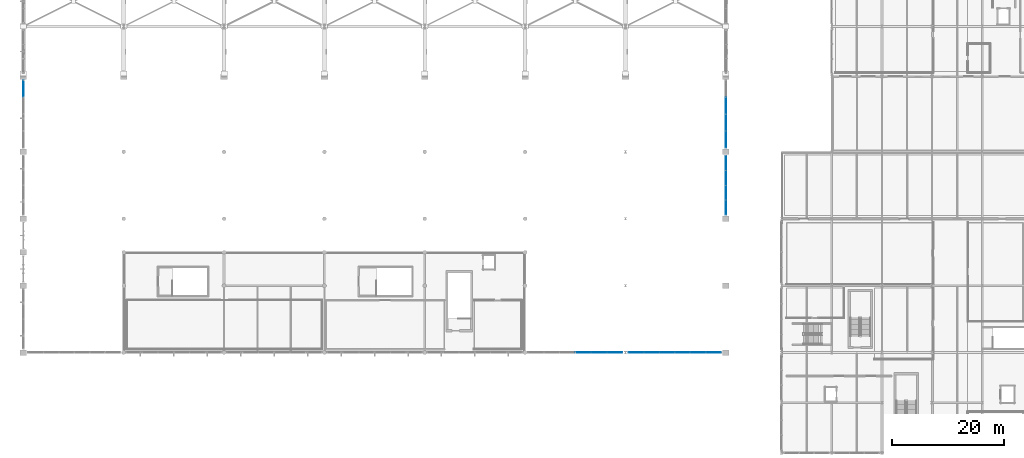
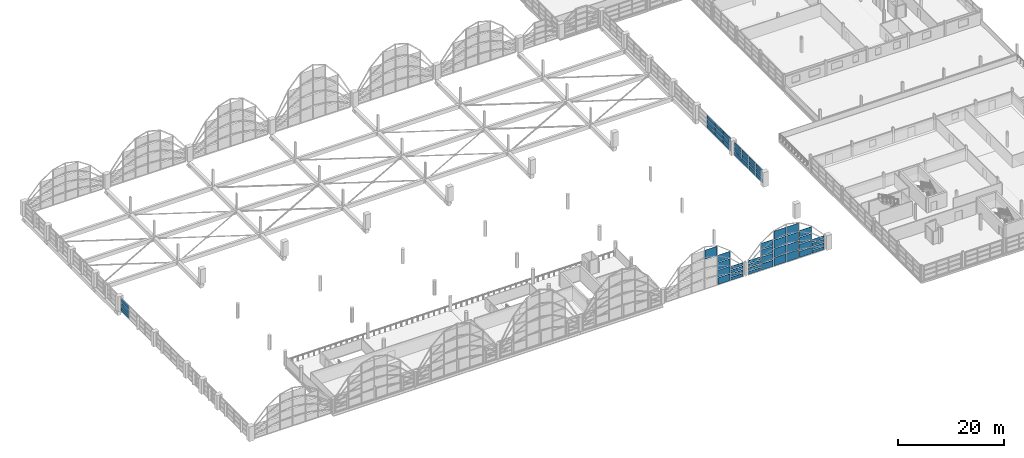
# One storey, part 86 of 116: 57 plates, 5 elements without a shape of their own.
"""IFC4 building model written with IfcOpenShell, lengths in metres."""

from ifc_helpers import new_model, si_unit, direction, frame, origin, origin_2d, place, context, subcontext, project, spatial, rectangle, extrude, material, layer, layer_set, type_object, element, aggregate, save


model = new_model("IFC4")

# Units and contexts
model_context = context("Model", 3, precision=1e-05, world=origin(), true_north=direction((0.0, 1.0)))
body_context = subcontext(model_context, "Body", "Model", "MODEL_VIEW")
ifc_project = project(units=[si_unit("LENGTHUNIT", "METRE"), si_unit("AREAUNIT", "SQUARE_METRE"), si_unit("VOLUMEUNIT", "CUBIC_METRE"), si_unit("PLANEANGLEUNIT", "RADIAN"), si_unit("MASSUNIT", "GRAM", prefix="KILO")], contexts=[model_context])

# Site, building, storey
site_placement = place(None, origin())
site = spatial("IfcSite", under=ifc_project, at=site_placement, CompositionType="ELEMENT")
building_placement = place(site_placement, origin())
building = spatial("IfcBuilding", under=site, at=building_placement, Name="Chuanluo Vaults Station", CompositionType="ELEMENT")
storey_placement = place(building_placement, frame((0.0, 0.0, 10.800048828125)))
storey = spatial("IfcBuildingStorey", under=building, at=storey_placement, Name="L02", CompositionType="ELEMENT", Elevation=10.800048828125)

# Curtain wall, plates
ifc_material_1 = material(Name="Anodised aluminium 6063-T6", Category="aluminium")
curtain_wall_type_1 = type_object("IfcCurtainWallType", Name="CW-SYS-23", PredefinedType="NOTDEFINED", material=ifc_material_1)
curtain_wall_1_placement = place(storey_placement, origin())
curtain_wall_1 = element("IfcCurtainWall", 1, at=curtain_wall_1_placement, inside=storey, type_object=curtain_wall_type_1, Name="Vault V7 south arched curtain wall", PredefinedType="NOTDEFINED")
ifc_material_2 = material(Name="Ceramic-fritted spandrel glass", Category="glass")
ifc_layer_1 = layer(ifc_material_2, 0.06396484375)
ifc_layer_set_1 = layer_set([ifc_layer_1], Name="Ceramic-fritted spandrel glass")
plate_type_1 = type_object("IfcPlateType", Name="CWP-SPN-42", PredefinedType="SHEET", material=ifc_layer_set_1)
plate_1_placement = place(storey_placement, frame((123.78759765625, 18.0, 0.080078125), z_axis=(0.0, 0.0, 1.0), x_axis=(-1.0, 0.0, 0.0)))
plate_1 = element("IfcPlate", 2, at=plate_1_placement, type_object=plate_type_1, Name="Vault V7 south arched curtain wall glazed panel 1.1", PredefinedType="SHEET", context=body_context, shape_type="SweptSolid", body=[
    extrude(rectangle(XDim=2.614990234375, YDim=0.06396484375, at=origin_2d()), origin(), (0.0, 0.0, 1.0), 0.677490234375),
])
plate_2_placement = place(storey_placement, frame((121.012451171875, 18.0, 0.080078125), z_axis=(0.0, 0.0, 1.0), x_axis=(-1.0, 0.0, 0.0)))
plate_2 = element("IfcPlate", 3, at=plate_2_placement, type_object=plate_type_1, Name="Vault V7 south arched curtain wall glazed panel 2.1", PredefinedType="SHEET", context=body_context, shape_type="SweptSolid", body=[
    extrude(rectangle(XDim=2.614990234375, YDim=0.06396484375, at=origin_2d()), origin(), (0.0, 0.0, 1.0), 1.4345703125),
])
plate_3_placement = place(storey_placement, frame((118.237548828125, 18.0, 0.079833984375), z_axis=(0.0, 0.0, 1.0), x_axis=(-1.0, 0.0, 0.0)))
plate_3 = element("IfcPlate", 4, at=plate_3_placement, type_object=plate_type_1, Name="Vault V7 south arched curtain wall glazed panel 3.1", PredefinedType="SHEET", context=body_context, shape_type="SweptSolid", body=[
    extrude(rectangle(XDim=2.614990234375, YDim=0.06396484375, at=origin_2d()), origin(), (0.0, 0.0, 1.0), 1.888671875),
])
plate_4_placement = place(storey_placement, frame((115.46240234375, 18.0, 0.079833984375), z_axis=(0.0, 0.0, 1.0), x_axis=(-1.0, 0.0, 0.0)))
plate_4 = element("IfcPlate", 5, at=plate_4_placement, type_object=plate_type_1, Name="Vault V7 south arched curtain wall glazed panel 4.1", PredefinedType="SHEET", context=body_context, shape_type="SweptSolid", body=[
    extrude(rectangle(XDim=2.614990234375, YDim=0.06396484375, at=origin_2d()), origin(), (0.0, 0.0, 1.0), 1.888671875),
])
plate_5_placement = place(storey_placement, frame((112.6875, 18.0, 0.080078125), z_axis=(0.0, 0.0, 1.0), x_axis=(-1.0, 0.0, 0.0)))
plate_5 = element("IfcPlate", 6, at=plate_5_placement, type_object=plate_type_1, Name="Vault V7 south arched curtain wall glazed panel 5.1", PredefinedType="SHEET", context=body_context, shape_type="SweptSolid", body=[
    extrude(rectangle(XDim=2.614990234375, YDim=0.06396484375, at=origin_2d()), origin(), (0.0, 0.0, 1.0), 1.4345703125),
])
plate_6_placement = place(storey_placement, frame((109.91259765625, 18.0, 0.080078125), z_axis=(0.0, 0.0, 1.0), x_axis=(-1.0, 0.0, 0.0)))
plate_6 = element("IfcPlate", 7, at=plate_6_placement, type_object=plate_type_1, Name="Vault V7 south arched curtain wall glazed panel 6.1", PredefinedType="SHEET", context=body_context, shape_type="SweptSolid", body=[
    extrude(rectangle(XDim=2.614990234375, YDim=0.06396484375, at=origin_2d()), origin(), (0.0, 0.0, 1.0), 0.677490234375),
])

# Curtain wall, plate
ifc_material_3 = material(Name="Anodised aluminium 6063-T6", Category="aluminium")
curtain_wall_type_2 = type_object("IfcCurtainWallType", Name="CW-SYS-11", PredefinedType="NOTDEFINED", material=ifc_material_3)
curtain_wall_2_placement = place(storey_placement, origin())
curtain_wall_2 = element("IfcCurtainWall", 8, at=curtain_wall_2_placement, inside=storey, type_object=curtain_wall_type_2, Name="Train shed west clerestory CW 54", PredefinedType="NOTDEFINED")
plate_7_placement = place(storey_placement, frame((0.0, 65.306396484375, 0.080078125), z_axis=(0.0, 0.0, 1.0), x_axis=(0.0, 1.0, 0.0)))
plate_7 = element("IfcPlate", 9, at=plate_7_placement, type_object=plate_type_1, Name="Train shed west clerestory CW 54 glazed panel 4.1", PredefinedType="SHEET", context=body_context, shape_type="SweptSolid", body=[
    extrude(rectangle(XDim=2.87744140625, YDim=0.06396484375, at=origin_2d()), origin(), (0.0, 0.0, 1.0), 0.889892578125),
])

# Curtain wall, plates
ifc_material_4 = material(Name="Anodised aluminium 6063-T6", Category="aluminium")
curtain_wall_type_3 = type_object("IfcCurtainWallType", Name="CW-SYS-20", PredefinedType="NOTDEFINED", material=ifc_material_4)
curtain_wall_3_placement = place(storey_placement, origin())
curtain_wall_3 = element("IfcCurtainWall", 10, at=curtain_wall_3_placement, inside=storey, type_object=curtain_wall_type_3, Name="Vault V6 south arched curtain wall", PredefinedType="NOTDEFINED")
ifc_material_5 = material(Name="Ceramic-fritted spandrel glass", Category="glass")
ifc_layer_2 = layer(ifc_material_5, 0.070068359375)
ifc_layer_set_2 = layer_set([ifc_layer_2], Name="Ceramic-fritted spandrel glass")
plate_type_2 = type_object("IfcPlateType", Name="CWP-SPN-50", PredefinedType="SHEET", material=ifc_layer_set_2)
plate_8_placement = place(storey_placement, frame((106.0625, 18.0, 0.080078125), z_axis=(0.0, 0.0, 1.0), x_axis=(-1.0, 0.0, 0.0)))
plate_8 = element("IfcPlate", 11, at=plate_8_placement, type_object=plate_type_2, Name="Vault V6 south arched curtain wall glazed panel 1.1", PredefinedType="SHEET", context=body_context, shape_type="SweptSolid", body=[
    extrude(rectangle(XDim=2.6650390625, YDim=0.070068359375, at=origin_2d()), origin(), (0.0, 0.0, 1.0), 0.677490234375),
])
plate_9_placement = place(storey_placement, frame((103.237548828125, 18.0, 0.080078125), z_axis=(0.0, 0.0, 1.0), x_axis=(-1.0, 0.0, 0.0)))
plate_9 = element("IfcPlate", 12, at=plate_9_placement, type_object=plate_type_2, Name="Vault V6 south arched curtain wall glazed panel 2.1", PredefinedType="SHEET", context=body_context, shape_type="SweptSolid", body=[
    extrude(rectangle(XDim=2.6650390625, YDim=0.070068359375, at=origin_2d()), origin(), (0.0, 0.0, 1.0), 1.5732421875),
])

ifc_material_6 = material(Name="Anodised aluminium 6063-T6", Category="aluminium")
curtain_wall_type_4 = type_object("IfcCurtainWallType", Name="CW-SYS-08", PredefinedType="NOTDEFINED", material=ifc_material_6)
curtain_wall_4_placement = place(storey_placement, origin())
curtain_wall_4 = element("IfcCurtainWall", 13, at=curtain_wall_4_placement, inside=storey, type_object=curtain_wall_type_4, Name="Train shed east clerestory CW 42", PredefinedType="NOTDEFINED")
plate_10_placement = place(storey_placement, frame((126.0, 51.993896484375, 0.080078125), z_axis=(0.0, 0.0, 1.0), x_axis=(0.0, -1.0, 0.0)))
plate_10 = element("IfcPlate", 14, at=plate_10_placement, type_object=plate_type_2, Name="Train shed east clerestory CW 42 glazed panel 1.1", PredefinedType="SHEET", context=body_context, shape_type="SweptSolid", body=[
    extrude(rectangle(XDim=2.50244140625, YDim=0.070068359375, at=origin_2d()), origin(), (0.0, 0.0, 1.0), 0.889892578125),
])
plate_11_placement = place(storey_placement, frame((126.0, 49.331298828125, 0.080078125), z_axis=(0.0, 0.0, 1.0), x_axis=(0.0, -1.0, 0.0)))
plate_11 = element("IfcPlate", 15, at=plate_11_placement, type_object=plate_type_2, Name="Train shed east clerestory CW 42 glazed panel 2.1", PredefinedType="SHEET", context=body_context, shape_type="SweptSolid", body=[
    extrude(rectangle(XDim=2.50244140625, YDim=0.070068359375, at=origin_2d()), origin(), (0.0, 0.0, 1.0), 0.889892578125),
])
plate_12_placement = place(storey_placement, frame((126.0, 46.668701171875, 0.080078125), z_axis=(0.0, 0.0, 1.0), x_axis=(0.0, -1.0, 0.0)))
plate_12 = element("IfcPlate", 16, at=plate_12_placement, type_object=plate_type_2, Name="Train shed east clerestory CW 42 glazed panel 3.1", PredefinedType="SHEET", context=body_context, shape_type="SweptSolid", body=[
    extrude(rectangle(XDim=2.50244140625, YDim=0.070068359375, at=origin_2d()), origin(), (0.0, 0.0, 1.0), 0.889892578125),
])
plate_13_placement = place(storey_placement, frame((126.0, 44.006103515625, 0.080078125), z_axis=(0.0, 0.0, 1.0), x_axis=(0.0, -1.0, 0.0)))
plate_13 = element("IfcPlate", 17, at=plate_13_placement, type_object=plate_type_2, Name="Train shed east clerestory CW 42 glazed panel 4.1", PredefinedType="SHEET", context=body_context, shape_type="SweptSolid", body=[
    extrude(rectangle(XDim=2.50244140625, YDim=0.070068359375, at=origin_2d()), origin(), (0.0, 0.0, 1.0), 0.889892578125),
])

ifc_material_7 = material(Name="Anodised aluminium 6063-T6", Category="aluminium")
curtain_wall_type_5 = type_object("IfcCurtainWallType", Name="CW-SYS-12", PredefinedType="NOTDEFINED", material=ifc_material_7)
curtain_wall_5_placement = place(storey_placement, origin())
curtain_wall_5 = element("IfcCurtainWall", 18, at=curtain_wall_5_placement, inside=storey, type_object=curtain_wall_type_5, Name="Train shed east clerestory CW 54", PredefinedType="NOTDEFINED")
plate_14_placement = place(storey_placement, frame((126.0, 62.268798828125, 0.080078125), z_axis=(0.0, 0.0, 1.0), x_axis=(0.0, -1.0, 0.0)))
plate_14 = element("IfcPlate", 19, at=plate_14_placement, type_object=plate_type_2, Name="Train shed east clerestory CW 54 glazed panel 2.1", PredefinedType="SHEET", context=body_context, shape_type="SweptSolid", body=[
    extrude(rectangle(XDim=2.87744140625, YDim=0.070068359375, at=origin_2d()), origin(), (0.0, 0.0, 1.0), 0.889892578125),
])
plate_15_placement = place(storey_placement, frame((126.0, 59.231201171875, 0.080078125), z_axis=(0.0, 0.0, 1.0), x_axis=(0.0, -1.0, 0.0)))
plate_15 = element("IfcPlate", 20, at=plate_15_placement, type_object=plate_type_2, Name="Train shed east clerestory CW 54 glazed panel 3.1", PredefinedType="SHEET", context=body_context, shape_type="SweptSolid", body=[
    extrude(rectangle(XDim=2.87744140625, YDim=0.070068359375, at=origin_2d()), origin(), (0.0, 0.0, 1.0), 0.889892578125),
])
plate_16_placement = place(storey_placement, frame((126.0, 56.193603515625, 0.080078125), z_axis=(0.0, 0.0, 1.0), x_axis=(0.0, -1.0, 0.0)))
plate_16 = element("IfcPlate", 21, at=plate_16_placement, type_object=plate_type_2, Name="Train shed east clerestory CW 54 glazed panel 4.1", PredefinedType="SHEET", context=body_context, shape_type="SweptSolid", body=[
    extrude(rectangle(XDim=2.87744140625, YDim=0.070068359375, at=origin_2d()), origin(), (0.0, 0.0, 1.0), 0.889892578125),
])

# Plate
ifc_material_8 = material(Name="Double-silver Low-E laminated glass", Category="glass")
ifc_layer_3 = layer(ifc_material_8, 0.0439453125)
ifc_layer_set_3 = layer_set([ifc_layer_3], Name="Double-silver Low-E laminated glass")
plate_type_3 = type_object("IfcPlateType", Name="CWP-VIS-28", PredefinedType="CURTAIN_PANEL", material=ifc_layer_set_3)
plate_17_placement = place(storey_placement, frame((106.0625, 18.0, 0.91748046875), z_axis=(0.0, 0.0, 1.0), x_axis=(-1.0, 0.0, 0.0)))
plate_17 = element("IfcPlate", 22, at=plate_17_placement, type_object=plate_type_3, Name="Vault V6 south arched curtain wall glazed panel 1.2", PredefinedType="CURTAIN_PANEL", context=body_context, shape_type="SweptSolid", body=[
    extrude(rectangle(XDim=2.6650390625, YDim=0.0439453125, at=origin_2d()), origin(), (0.0, 0.0, 1.0), 0.677490234375),
])

plate_18_placement = place(storey_placement, frame((106.0625, 18.0, 1.7548828125), z_axis=(0.0, 0.0, 1.0), x_axis=(-1.0, 0.0, 0.0)))
plate_18 = element("IfcPlate", 23, at=plate_18_placement, type_object=plate_type_3, Name="Vault V6 south arched curtain wall glazed panel 1.3", PredefinedType="CURTAIN_PANEL", context=body_context, shape_type="SweptSolid", body=[
    extrude(rectangle(XDim=2.6650390625, YDim=0.0439453125, at=origin_2d()), origin(), (0.0, 0.0, 1.0), 0.677490234375),
])

plate_19_placement = place(storey_placement, frame((106.0625, 18.0, 2.59228515625), z_axis=(0.0, 0.0, 1.0), x_axis=(-1.0, 0.0, 0.0)))
plate_19 = element("IfcPlate", 24, at=plate_19_placement, type_object=plate_type_3, Name="Vault V6 south arched curtain wall glazed panel 1.4", PredefinedType="CURTAIN_PANEL", context=body_context, shape_type="SweptSolid", body=[
    extrude(rectangle(XDim=2.6650390625, YDim=0.0439453125, at=origin_2d()), origin(), (0.0, 0.0, 1.0), 0.677490234375),
])

plate_20_placement = place(storey_placement, frame((103.237548828125, 18.0, 1.81298828125), z_axis=(0.0, 0.0, 1.0), x_axis=(-1.0, 0.0, 0.0)))
plate_20 = element("IfcPlate", 25, at=plate_20_placement, type_object=plate_type_3, Name="Vault V6 south arched curtain wall glazed panel 2.2", PredefinedType="CURTAIN_PANEL", context=body_context, shape_type="SweptSolid", body=[
    extrude(rectangle(XDim=2.6650390625, YDim=0.0439453125, at=origin_2d()), origin(), (0.0, 0.0, 1.0), 1.573486328125),
])

plate_21_placement = place(storey_placement, frame((103.237548828125, 18.0, 3.546630859375), z_axis=(0.0, 0.0, 1.0), x_axis=(-1.0, 0.0, 0.0)))
plate_21 = element("IfcPlate", 26, at=plate_21_placement, type_object=plate_type_3, Name="Vault V6 south arched curtain wall glazed panel 2.3", PredefinedType="CURTAIN_PANEL", context=body_context, shape_type="SweptSolid", body=[
    extrude(rectangle(XDim=2.6650390625, YDim=0.0439453125, at=origin_2d()), origin(), (0.0, 0.0, 1.0), 1.5732421875),
])

plate_22_placement = place(storey_placement, frame((103.237548828125, 18.0, 5.280029296875), z_axis=(0.0, 0.0, 1.0), x_axis=(-1.0, 0.0, 0.0)))
plate_22 = element("IfcPlate", 27, at=plate_22_placement, type_object=plate_type_3, Name="Vault V6 south arched curtain wall glazed panel 2.4", PredefinedType="CURTAIN_PANEL", context=body_context, shape_type="SweptSolid", body=[
    extrude(rectangle(XDim=2.6650390625, YDim=0.0439453125, at=origin_2d()), origin(), (0.0, 0.0, 1.0), 1.5732421875),
])

plate_23_placement = place(storey_placement, frame((100.41259765625, 18.0, 6.892333984375), z_axis=(0.0, 0.0, 1.0), x_axis=(-1.0, 0.0, 0.0)))
plate_23 = element("IfcPlate", 28, at=plate_23_placement, type_object=plate_type_3, Name="Vault V6 south arched curtain wall glazed panel 3.4", PredefinedType="CURTAIN_PANEL", context=body_context, shape_type="SweptSolid", body=[
    extrude(rectangle(XDim=2.6650390625, YDim=0.0439453125, at=origin_2d()), origin(), (0.0, 0.0, 1.0), 2.11083984375),
])

aggregate(curtain_wall_3, [plate_8, plate_17, plate_18, plate_19, plate_9, plate_20, plate_21, plate_22, plate_23])

plate_24_placement = place(storey_placement, frame((126.0, 51.993896484375, 1.1298828125), z_axis=(0.0, 0.0, 1.0), x_axis=(0.0, -1.0, 0.0)))
plate_24 = element("IfcPlate", 29, at=plate_24_placement, type_object=plate_type_3, Name="Train shed east clerestory CW 42 glazed panel 1.2", PredefinedType="CURTAIN_PANEL", context=body_context, shape_type="SweptSolid", body=[
    extrude(rectangle(XDim=2.50244140625, YDim=0.0439453125, at=origin_2d()), origin(), (0.0, 0.0, 1.0), 0.889892578125),
])

plate_25_placement = place(storey_placement, frame((126.0, 51.993896484375, 2.18017578125), z_axis=(0.0, 0.0, 1.0), x_axis=(0.0, -1.0, 0.0)))
plate_25 = element("IfcPlate", 30, at=plate_25_placement, type_object=plate_type_3, Name="Train shed east clerestory CW 42 glazed panel 1.3", PredefinedType="CURTAIN_PANEL", context=body_context, shape_type="SweptSolid", body=[
    extrude(rectangle(XDim=2.50244140625, YDim=0.0439453125, at=origin_2d()), origin(), (0.0, 0.0, 1.0), 0.889892578125),
])

plate_26_placement = place(storey_placement, frame((126.0, 49.331298828125, 1.1298828125), z_axis=(0.0, 0.0, 1.0), x_axis=(0.0, -1.0, 0.0)))
plate_26 = element("IfcPlate", 31, at=plate_26_placement, type_object=plate_type_3, Name="Train shed east clerestory CW 42 glazed panel 2.2", PredefinedType="CURTAIN_PANEL", context=body_context, shape_type="SweptSolid", body=[
    extrude(rectangle(XDim=2.50244140625, YDim=0.0439453125, at=origin_2d()), origin(), (0.0, 0.0, 1.0), 0.889892578125),
])

plate_27_placement = place(storey_placement, frame((126.0, 49.331298828125, 2.18017578125), z_axis=(0.0, 0.0, 1.0), x_axis=(0.0, -1.0, 0.0)))
plate_27 = element("IfcPlate", 32, at=plate_27_placement, type_object=plate_type_3, Name="Train shed east clerestory CW 42 glazed panel 2.3", PredefinedType="CURTAIN_PANEL", context=body_context, shape_type="SweptSolid", body=[
    extrude(rectangle(XDim=2.50244140625, YDim=0.0439453125, at=origin_2d()), origin(), (0.0, 0.0, 1.0), 0.889892578125),
])

plate_28_placement = place(storey_placement, frame((126.0, 46.668701171875, 1.1298828125), z_axis=(0.0, 0.0, 1.0), x_axis=(0.0, -1.0, 0.0)))
plate_28 = element("IfcPlate", 33, at=plate_28_placement, type_object=plate_type_3, Name="Train shed east clerestory CW 42 glazed panel 3.2", PredefinedType="CURTAIN_PANEL", context=body_context, shape_type="SweptSolid", body=[
    extrude(rectangle(XDim=2.50244140625, YDim=0.0439453125, at=origin_2d()), origin(), (0.0, 0.0, 1.0), 0.889892578125),
])

plate_29_placement = place(storey_placement, frame((126.0, 46.668701171875, 2.18017578125), z_axis=(0.0, 0.0, 1.0), x_axis=(0.0, -1.0, 0.0)))
plate_29 = element("IfcPlate", 34, at=plate_29_placement, type_object=plate_type_3, Name="Train shed east clerestory CW 42 glazed panel 3.3", PredefinedType="CURTAIN_PANEL", context=body_context, shape_type="SweptSolid", body=[
    extrude(rectangle(XDim=2.50244140625, YDim=0.0439453125, at=origin_2d()), origin(), (0.0, 0.0, 1.0), 0.889892578125),
])

plate_30_placement = place(storey_placement, frame((126.0, 44.006103515625, 1.1298828125), z_axis=(0.0, 0.0, 1.0), x_axis=(0.0, -1.0, 0.0)))
plate_30 = element("IfcPlate", 35, at=plate_30_placement, type_object=plate_type_3, Name="Train shed east clerestory CW 42 glazed panel 4.2", PredefinedType="CURTAIN_PANEL", context=body_context, shape_type="SweptSolid", body=[
    extrude(rectangle(XDim=2.50244140625, YDim=0.0439453125, at=origin_2d()), origin(), (0.0, 0.0, 1.0), 0.889892578125),
])

plate_31_placement = place(storey_placement, frame((126.0, 44.006103515625, 2.18017578125), z_axis=(0.0, 0.0, 1.0), x_axis=(0.0, -1.0, 0.0)))
plate_31 = element("IfcPlate", 36, at=plate_31_placement, type_object=plate_type_3, Name="Train shed east clerestory CW 42 glazed panel 4.3", PredefinedType="CURTAIN_PANEL", context=body_context, shape_type="SweptSolid", body=[
    extrude(rectangle(XDim=2.50244140625, YDim=0.0439453125, at=origin_2d()), origin(), (0.0, 0.0, 1.0), 0.889892578125),
])

aggregate(curtain_wall_4, [plate_10, plate_24, plate_25, plate_11, plate_26, plate_27, plate_12, plate_28, plate_29, plate_13, plate_30, plate_31])

plate_32_placement = place(storey_placement, frame((126.0, 62.268798828125, 1.1298828125), z_axis=(0.0, 0.0, 1.0), x_axis=(0.0, -1.0, 0.0)))
plate_32 = element("IfcPlate", 37, at=plate_32_placement, type_object=plate_type_3, Name="Train shed east clerestory CW 54 glazed panel 2.2", PredefinedType="CURTAIN_PANEL", context=body_context, shape_type="SweptSolid", body=[
    extrude(rectangle(XDim=2.87744140625, YDim=0.0439453125, at=origin_2d()), origin(), (0.0, 0.0, 1.0), 0.889892578125),
])

plate_33_placement = place(storey_placement, frame((126.0, 62.268798828125, 2.18017578125), z_axis=(0.0, 0.0, 1.0), x_axis=(0.0, -1.0, 0.0)))
plate_33 = element("IfcPlate", 38, at=plate_33_placement, type_object=plate_type_3, Name="Train shed east clerestory CW 54 glazed panel 2.3", PredefinedType="CURTAIN_PANEL", context=body_context, shape_type="SweptSolid", body=[
    extrude(rectangle(XDim=2.87744140625, YDim=0.0439453125, at=origin_2d()), origin(), (0.0, 0.0, 1.0), 0.889892578125),
])

plate_34_placement = place(storey_placement, frame((126.0, 59.231201171875, 1.1298828125), z_axis=(0.0, 0.0, 1.0), x_axis=(0.0, -1.0, 0.0)))
plate_34 = element("IfcPlate", 39, at=plate_34_placement, type_object=plate_type_3, Name="Train shed east clerestory CW 54 glazed panel 3.2", PredefinedType="CURTAIN_PANEL", context=body_context, shape_type="SweptSolid", body=[
    extrude(rectangle(XDim=2.87744140625, YDim=0.0439453125, at=origin_2d()), origin(), (0.0, 0.0, 1.0), 0.889892578125),
])

plate_35_placement = place(storey_placement, frame((126.0, 59.231201171875, 2.18017578125), z_axis=(0.0, 0.0, 1.0), x_axis=(0.0, -1.0, 0.0)))
plate_35 = element("IfcPlate", 40, at=plate_35_placement, type_object=plate_type_3, Name="Train shed east clerestory CW 54 glazed panel 3.3", PredefinedType="CURTAIN_PANEL", context=body_context, shape_type="SweptSolid", body=[
    extrude(rectangle(XDim=2.87744140625, YDim=0.0439453125, at=origin_2d()), origin(), (0.0, 0.0, 1.0), 0.889892578125),
])

plate_36_placement = place(storey_placement, frame((126.0, 56.193603515625, 1.1298828125), z_axis=(0.0, 0.0, 1.0), x_axis=(0.0, -1.0, 0.0)))
plate_36 = element("IfcPlate", 41, at=plate_36_placement, type_object=plate_type_3, Name="Train shed east clerestory CW 54 glazed panel 4.2", PredefinedType="CURTAIN_PANEL", context=body_context, shape_type="SweptSolid", body=[
    extrude(rectangle(XDim=2.87744140625, YDim=0.0439453125, at=origin_2d()), origin(), (0.0, 0.0, 1.0), 0.889892578125),
])

plate_37_placement = place(storey_placement, frame((126.0, 56.193603515625, 2.18017578125), z_axis=(0.0, 0.0, 1.0), x_axis=(0.0, -1.0, 0.0)))
plate_37 = element("IfcPlate", 42, at=plate_37_placement, type_object=plate_type_3, Name="Train shed east clerestory CW 54 glazed panel 4.3", PredefinedType="CURTAIN_PANEL", context=body_context, shape_type="SweptSolid", body=[
    extrude(rectangle(XDim=2.87744140625, YDim=0.0439453125, at=origin_2d()), origin(), (0.0, 0.0, 1.0), 0.889892578125),
])

aggregate(curtain_wall_5, [plate_14, plate_32, plate_33, plate_15, plate_34, plate_35, plate_16, plate_36, plate_37])

ifc_material_9 = material(Name="Double-silver Low-E laminated glass", Category="glass")
ifc_layer_4 = layer(ifc_material_9, 0.048095703125)
ifc_layer_set_4 = layer_set([ifc_layer_4], Name="Double-silver Low-E laminated glass")
plate_type_4 = type_object("IfcPlateType", Name="CWP-VIS-32", PredefinedType="CURTAIN_PANEL", material=ifc_layer_set_4)
plate_38_placement = place(storey_placement, frame((123.78759765625, 18.0, 0.91748046875), z_axis=(0.0, 0.0, 1.0), x_axis=(-1.0, 0.0, 0.0)))
plate_38 = element("IfcPlate", 43, at=plate_38_placement, type_object=plate_type_4, Name="Vault V7 south arched curtain wall glazed panel 1.2", PredefinedType="CURTAIN_PANEL", context=body_context, shape_type="SweptSolid", body=[
    extrude(rectangle(XDim=2.614990234375, YDim=0.048095703125, at=origin_2d()), origin(), (0.0, 0.0, 1.0), 0.677490234375),
])

plate_39_placement = place(storey_placement, frame((123.78759765625, 18.0, 1.7548828125), z_axis=(0.0, 0.0, 1.0), x_axis=(-1.0, 0.0, 0.0)))
plate_39 = element("IfcPlate", 44, at=plate_39_placement, type_object=plate_type_4, Name="Vault V7 south arched curtain wall glazed panel 1.3", PredefinedType="CURTAIN_PANEL", context=body_context, shape_type="SweptSolid", body=[
    extrude(rectangle(XDim=2.614990234375, YDim=0.048095703125, at=origin_2d()), origin(), (0.0, 0.0, 1.0), 0.677490234375),
])

plate_40_placement = place(storey_placement, frame((123.78759765625, 18.0, 2.59228515625), z_axis=(0.0, 0.0, 1.0), x_axis=(-1.0, 0.0, 0.0)))
plate_40 = element("IfcPlate", 45, at=plate_40_placement, type_object=plate_type_4, Name="Vault V7 south arched curtain wall glazed panel 1.4", PredefinedType="CURTAIN_PANEL", context=body_context, shape_type="SweptSolid", body=[
    extrude(rectangle(XDim=2.614990234375, YDim=0.048095703125, at=origin_2d()), origin(), (0.0, 0.0, 1.0), 0.677490234375),
])

plate_41_placement = place(storey_placement, frame((121.012451171875, 18.0, 1.67431640625), z_axis=(0.0, 0.0, 1.0), x_axis=(-1.0, 0.0, 0.0)))
plate_41 = element("IfcPlate", 46, at=plate_41_placement, type_object=plate_type_4, Name="Vault V7 south arched curtain wall glazed panel 2.2", PredefinedType="CURTAIN_PANEL", context=body_context, shape_type="SweptSolid", body=[
    extrude(rectangle(XDim=2.614990234375, YDim=0.048095703125, at=origin_2d()), origin(), (0.0, 0.0, 1.0), 1.434326171875),
])

plate_42_placement = place(storey_placement, frame((121.012451171875, 18.0, 3.268798828125), z_axis=(0.0, 0.0, 1.0), x_axis=(-1.0, 0.0, 0.0)))
plate_42 = element("IfcPlate", 47, at=plate_42_placement, type_object=plate_type_4, Name="Vault V7 south arched curtain wall glazed panel 2.3", PredefinedType="CURTAIN_PANEL", context=body_context, shape_type="SweptSolid", body=[
    extrude(rectangle(XDim=2.614990234375, YDim=0.048095703125, at=origin_2d()), origin(), (0.0, 0.0, 1.0), 1.4345703125),
])

plate_43_placement = place(storey_placement, frame((121.012451171875, 18.0, 4.86328125), z_axis=(0.0, 0.0, 1.0), x_axis=(-1.0, 0.0, 0.0)))
plate_43 = element("IfcPlate", 48, at=plate_43_placement, type_object=plate_type_4, Name="Vault V7 south arched curtain wall glazed panel 2.4", PredefinedType="CURTAIN_PANEL", context=body_context, shape_type="SweptSolid", body=[
    extrude(rectangle(XDim=2.614990234375, YDim=0.048095703125, at=origin_2d()), origin(), (0.0, 0.0, 1.0), 1.434326171875),
])

plate_44_placement = place(storey_placement, frame((118.237548828125, 18.0, 2.12841796875), z_axis=(0.0, 0.0, 1.0), x_axis=(-1.0, 0.0, 0.0)))
plate_44 = element("IfcPlate", 49, at=plate_44_placement, type_object=plate_type_4, Name="Vault V7 south arched curtain wall glazed panel 3.2", PredefinedType="CURTAIN_PANEL", context=body_context, shape_type="SweptSolid", body=[
    extrude(rectangle(XDim=2.614990234375, YDim=0.048095703125, at=origin_2d()), origin(), (0.0, 0.0, 1.0), 1.888671875),
])

plate_45_placement = place(storey_placement, frame((118.237548828125, 18.0, 4.177001953125), z_axis=(0.0, 0.0, 1.0), x_axis=(-1.0, 0.0, 0.0)))
plate_45 = element("IfcPlate", 50, at=plate_45_placement, type_object=plate_type_4, Name="Vault V7 south arched curtain wall glazed panel 3.3", PredefinedType="CURTAIN_PANEL", context=body_context, shape_type="SweptSolid", body=[
    extrude(rectangle(XDim=2.614990234375, YDim=0.048095703125, at=origin_2d()), origin(), (0.0, 0.0, 1.0), 1.888671875),
])

plate_46_placement = place(storey_placement, frame((118.237548828125, 18.0, 6.225830078125), z_axis=(0.0, 0.0, 1.0), x_axis=(-1.0, 0.0, 0.0)))
plate_46 = element("IfcPlate", 51, at=plate_46_placement, type_object=plate_type_4, Name="Vault V7 south arched curtain wall glazed panel 3.4", PredefinedType="CURTAIN_PANEL", context=body_context, shape_type="SweptSolid", body=[
    extrude(rectangle(XDim=2.614990234375, YDim=0.048095703125, at=origin_2d()), origin(), (0.0, 0.0, 1.0), 1.888671875),
])

plate_47_placement = place(storey_placement, frame((115.46240234375, 18.0, 2.12841796875), z_axis=(0.0, 0.0, 1.0), x_axis=(-1.0, 0.0, 0.0)))
plate_47 = element("IfcPlate", 52, at=plate_47_placement, type_object=plate_type_4, Name="Vault V7 south arched curtain wall glazed panel 4.2", PredefinedType="CURTAIN_PANEL", context=body_context, shape_type="SweptSolid", body=[
    extrude(rectangle(XDim=2.614990234375, YDim=0.048095703125, at=origin_2d()), origin(), (0.0, 0.0, 1.0), 1.888671875),
])

plate_48_placement = place(storey_placement, frame((115.46240234375, 18.0, 4.177001953125), z_axis=(0.0, 0.0, 1.0), x_axis=(-1.0, 0.0, 0.0)))
plate_48 = element("IfcPlate", 53, at=plate_48_placement, type_object=plate_type_4, Name="Vault V7 south arched curtain wall glazed panel 4.3", PredefinedType="CURTAIN_PANEL", context=body_context, shape_type="SweptSolid", body=[
    extrude(rectangle(XDim=2.614990234375, YDim=0.048095703125, at=origin_2d()), origin(), (0.0, 0.0, 1.0), 1.888671875),
])

plate_49_placement = place(storey_placement, frame((115.46240234375, 18.0, 6.225830078125), z_axis=(0.0, 0.0, 1.0), x_axis=(-1.0, 0.0, 0.0)))
plate_49 = element("IfcPlate", 54, at=plate_49_placement, type_object=plate_type_4, Name="Vault V7 south arched curtain wall glazed panel 4.4", PredefinedType="CURTAIN_PANEL", context=body_context, shape_type="SweptSolid", body=[
    extrude(rectangle(XDim=2.614990234375, YDim=0.048095703125, at=origin_2d()), origin(), (0.0, 0.0, 1.0), 1.888671875),
])

plate_50_placement = place(storey_placement, frame((112.6875, 18.0, 1.67431640625), z_axis=(0.0, 0.0, 1.0), x_axis=(-1.0, 0.0, 0.0)))
plate_50 = element("IfcPlate", 55, at=plate_50_placement, type_object=plate_type_4, Name="Vault V7 south arched curtain wall glazed panel 5.2", PredefinedType="CURTAIN_PANEL", context=body_context, shape_type="SweptSolid", body=[
    extrude(rectangle(XDim=2.614990234375, YDim=0.048095703125, at=origin_2d()), origin(), (0.0, 0.0, 1.0), 1.434326171875),
])

plate_51_placement = place(storey_placement, frame((112.6875, 18.0, 3.268798828125), z_axis=(0.0, 0.0, 1.0), x_axis=(-1.0, 0.0, 0.0)))
plate_51 = element("IfcPlate", 56, at=plate_51_placement, type_object=plate_type_4, Name="Vault V7 south arched curtain wall glazed panel 5.3", PredefinedType="CURTAIN_PANEL", context=body_context, shape_type="SweptSolid", body=[
    extrude(rectangle(XDim=2.614990234375, YDim=0.048095703125, at=origin_2d()), origin(), (0.0, 0.0, 1.0), 1.4345703125),
])

plate_52_placement = place(storey_placement, frame((112.6875, 18.0, 4.86328125), z_axis=(0.0, 0.0, 1.0), x_axis=(-1.0, 0.0, 0.0)))
plate_52 = element("IfcPlate", 57, at=plate_52_placement, type_object=plate_type_4, Name="Vault V7 south arched curtain wall glazed panel 5.4", PredefinedType="CURTAIN_PANEL", context=body_context, shape_type="SweptSolid", body=[
    extrude(rectangle(XDim=2.614990234375, YDim=0.048095703125, at=origin_2d()), origin(), (0.0, 0.0, 1.0), 1.434326171875),
])

plate_53_placement = place(storey_placement, frame((109.91259765625, 18.0, 0.91748046875), z_axis=(0.0, 0.0, 1.0), x_axis=(-1.0, 0.0, 0.0)))
plate_53 = element("IfcPlate", 58, at=plate_53_placement, type_object=plate_type_4, Name="Vault V7 south arched curtain wall glazed panel 6.2", PredefinedType="CURTAIN_PANEL", context=body_context, shape_type="SweptSolid", body=[
    extrude(rectangle(XDim=2.614990234375, YDim=0.048095703125, at=origin_2d()), origin(), (0.0, 0.0, 1.0), 0.677490234375),
])

plate_54_placement = place(storey_placement, frame((109.91259765625, 18.0, 1.7548828125), z_axis=(0.0, 0.0, 1.0), x_axis=(-1.0, 0.0, 0.0)))
plate_54 = element("IfcPlate", 59, at=plate_54_placement, type_object=plate_type_4, Name="Vault V7 south arched curtain wall glazed panel 6.3", PredefinedType="CURTAIN_PANEL", context=body_context, shape_type="SweptSolid", body=[
    extrude(rectangle(XDim=2.614990234375, YDim=0.048095703125, at=origin_2d()), origin(), (0.0, 0.0, 1.0), 0.677490234375),
])

plate_55_placement = place(storey_placement, frame((109.91259765625, 18.0, 2.59228515625), z_axis=(0.0, 0.0, 1.0), x_axis=(-1.0, 0.0, 0.0)))
plate_55 = element("IfcPlate", 60, at=plate_55_placement, type_object=plate_type_4, Name="Vault V7 south arched curtain wall glazed panel 6.4", PredefinedType="CURTAIN_PANEL", context=body_context, shape_type="SweptSolid", body=[
    extrude(rectangle(XDim=2.614990234375, YDim=0.048095703125, at=origin_2d()), origin(), (0.0, 0.0, 1.0), 0.677490234375),
])

aggregate(curtain_wall_1, [plate_1, plate_38, plate_39, plate_40, plate_2, plate_41, plate_42, plate_43, plate_3, plate_44, plate_45, plate_46, plate_4, plate_47, plate_48, plate_49, plate_5, plate_50, plate_51, plate_52, plate_6, plate_53, plate_54, plate_55])

plate_56_placement = place(storey_placement, frame((0.0, 65.306396484375, 1.1298828125), z_axis=(0.0, 0.0, 1.0), x_axis=(0.0, 1.0, 0.0)))
plate_56 = element("IfcPlate", 61, at=plate_56_placement, type_object=plate_type_4, Name="Train shed west clerestory CW 54 glazed panel 4.2", PredefinedType="CURTAIN_PANEL", context=body_context, shape_type="SweptSolid", body=[
    extrude(rectangle(XDim=2.87744140625, YDim=0.048095703125, at=origin_2d()), origin(), (0.0, 0.0, 1.0), 0.889892578125),
])

plate_57_placement = place(storey_placement, frame((0.0, 65.306396484375, 2.18017578125), z_axis=(0.0, 0.0, 1.0), x_axis=(0.0, 1.0, 0.0)))
plate_57 = element("IfcPlate", 62, at=plate_57_placement, type_object=plate_type_4, Name="Train shed west clerestory CW 54 glazed panel 4.3", PredefinedType="CURTAIN_PANEL", context=body_context, shape_type="SweptSolid", body=[
    extrude(rectangle(XDim=2.87744140625, YDim=0.048095703125, at=origin_2d()), origin(), (0.0, 0.0, 1.0), 0.889892578125),
])

aggregate(curtain_wall_2, [plate_7, plate_56, plate_57])

save(model, "model.ifc")
